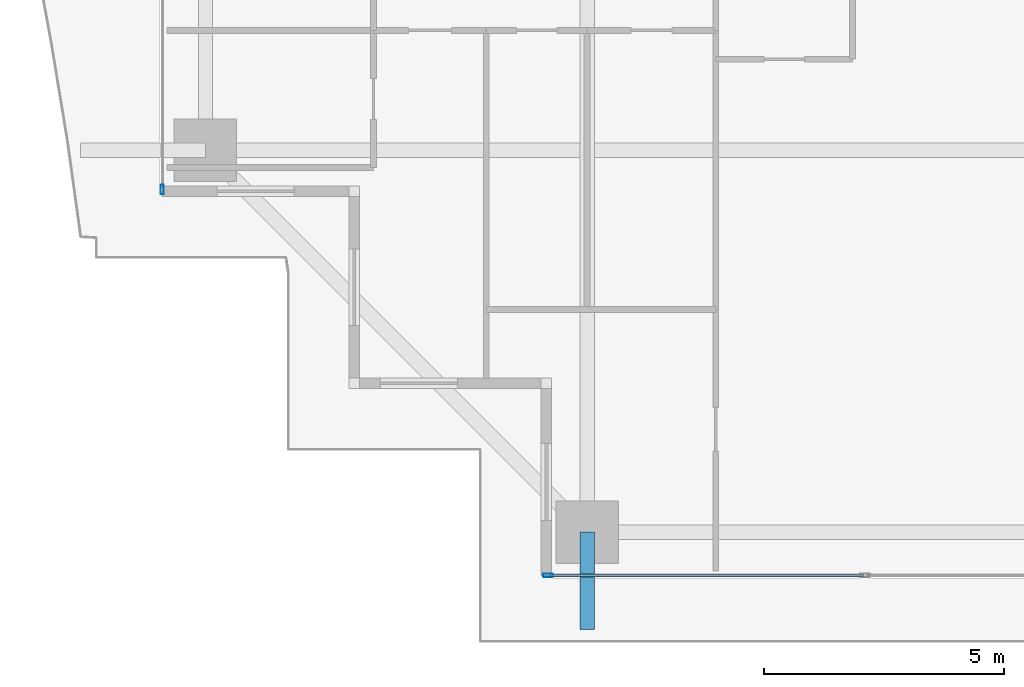
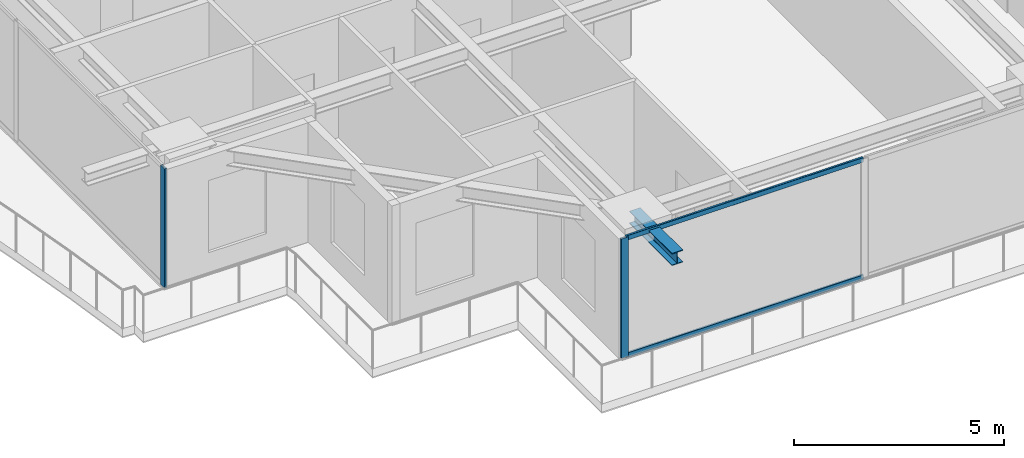
# One storey, part 2 of 39: 4 members, 1 beam, 2 elements without a shape of their own.
"""IFC4 building model written with IfcOpenShell, lengths in metres."""

from ifc_helpers import new_model, si_unit, direction, frame, origin, origin_2d, place, context, subcontext, project, spatial, hollow_rectangle, i_section, extrude, source, transform, mapped, material, layer, layer_set, material_profile, profile_set, type_object, element, aggregate, save


model = new_model("IFC4")

# Units and contexts
model_context = context("Model", 3, precision=1e-05, world=origin(), true_north=direction((0.0, 1.0)))
body_context = subcontext(model_context, "Body", "Model", "MODEL_VIEW")
ifc_project = project(units=[si_unit("LENGTHUNIT", "METRE"), si_unit("AREAUNIT", "SQUARE_METRE"), si_unit("VOLUMEUNIT", "CUBIC_METRE"), si_unit("PLANEANGLEUNIT", "RADIAN"), si_unit("MASSUNIT", "GRAM", prefix="KILO")], contexts=[model_context])

# Site, building, storey
site_placement = place(None, origin())
site = spatial("IfcSite", under=ifc_project, at=site_placement, CompositionType="ELEMENT")
building_placement = place(site_placement, origin())
building = spatial("IfcBuilding", under=site, at=building_placement, Name="Serunith Strait Residences", CompositionType="ELEMENT")
storey_placement = place(building_placement, frame((0.0, 0.0, 123.89990234375)))
storey = spatial("IfcBuildingStorey", under=building, at=storey_placement, Name="L30", CompositionType="ELEMENT", Elevation=123.89990234375)

# Beam
ifc_material_1 = material(Name="Steel S355J2", Category="steel")
ifc_material_profile_1 = material_profile(ifc_material_1, i_section(OverallWidth=0.300048828125, OverallDepth=0.360107421875, WebThickness=0.012451171875, FlangeThickness=0.0224609375, FilletRadius=0.027099609375, at=origin_2d()), Name="HEB 360")
ifc_profile_set_1 = profile_set([ifc_material_profile_1], Name="Steel S355J2")
beam_type = type_object("IfcBeamType", Name="BM-HEB360", PredefinedType="BEAM", material=ifc_profile_set_1)
shared_shape_1 = source(origin(), body_context, "Body", "SweptSolid", [
    extrude(i_section(OverallWidth=0.300048828125, OverallDepth=0.360107421875, WebThickness=0.012451171875, FlangeThickness=0.0224609375, FilletRadius=0.027099609375, at=origin_2d()), origin(), (0.0, 0.0, 1.0), 2.030029296875),
])
beam_placement = place(storey_placement, frame((16.64990234375, 2.300048828125, 3.277099609375), z_axis=(0.0, -1.0, 0.0), x_axis=(1.0, 0.0, 0.0)))
element("IfcBeam", 1, at=beam_placement, inside=storey, type_object=beam_type, Name="L31 Cantilevered Balcony Rib TC-S1", PredefinedType="BEAM", context=body_context, shape_type="MappedRepresentation", body=[
    mapped(shared_shape_1, transform((0.0, 0.0, 0.0), scale=1.0)),
])

# Curtain wall, member
ifc_material_2 = material(Name="Pale-Champagne Anodised Aluminium", Category="aluminium")
ifc_layer = layer(ifc_material_2, 0.199951171875, Name="Pale-Champagne Anodised Aluminium")
ifc_layer_set = layer_set([ifc_layer], Name="Pale-Champagne Anodised Aluminium")
curtain_wall_type = type_object("IfcCurtainWallType", Name="CW-SYS2", PredefinedType="NOTDEFINED", material=ifc_layer_set)
curtain_wall_1_placement = place(storey_placement, origin())
curtain_wall_1 = element("IfcCurtainWall", 2, at=curtain_wall_1_placement, inside=storey, type_object=curtain_wall_type, Name="L30 S Unitised Fritted Curtain Wall", PredefinedType="NOTDEFINED")
ifc_material_profile_2 = material_profile(ifc_material_2, hollow_rectangle(XDim=0.070068359375, YDim=0.199951171875, WallThickness=0.00390625, InnerFilletRadius=0.006103515625, OuterFilletRadius=0.010009765625, at=origin_2d()), Name="ALU 200x70x4")
ifc_profile_set_2 = profile_set([ifc_material_profile_2], Name="Pale-Champagne Anodised Aluminium")
member_type_1 = type_object("IfcMemberType", Name="CW-SYS2-MULL", PredefinedType="MULLION", material=ifc_profile_set_2)
shared_shape_2 = source(origin(), body_context, "Body", "SweptSolid", [
    extrude(hollow_rectangle(XDim=0.070068359375, YDim=0.199951171875, WallThickness=0.00390625, InnerFilletRadius=0.006103515625, OuterFilletRadius=0.010009765625, at=origin_2d()), origin(), (0.0, 0.0, 1.0), 3.47509765625),
])
member_1_placement = place(storey_placement, frame((15.8349609375, 1.39990234375, 0.0), z_axis=(0.0, 0.0, 1.0), x_axis=(0.0, 1.0, 0.0)))
member_1 = element("IfcMember", 3, at=member_1_placement, type_object=member_type_1, Name="CW-2 mullion 1", PredefinedType="MULLION", context=body_context, shape_type="MappedRepresentation", body=[
    mapped(shared_shape_2, transform((0.0, 0.0, 0.0), scale=1.0)),
])

curtain_wall_2_placement = place(storey_placement, origin())
curtain_wall_2 = element("IfcCurtainWall", 4, at=curtain_wall_2_placement, inside=storey, type_object=curtain_wall_type, Name="L30 W Unitised Fritted Curtain Wall", PredefinedType="NOTDEFINED")
member_2_placement = place(storey_placement, frame((7.800048828125, 9.43505859375, 0.0), z_axis=(0.0, 0.0, 1.0), x_axis=(1.0, 0.0, 0.0)))
member_2 = element("IfcMember", 5, at=member_2_placement, type_object=member_type_1, Name="CW-2 mullion 4", PredefinedType="MULLION", context=body_context, shape_type="MappedRepresentation", body=[
    mapped(shared_shape_2, transform((0.0, 0.0, 0.0), scale=1.0)),
])
aggregate(curtain_wall_2, [member_2])

# Member
ifc_material_profile_3 = material_profile(ifc_material_2, hollow_rectangle(XDim=0.06005859375, YDim=0.139892578125, WallThickness=0.00341796875, InnerFilletRadius=0.00537109375, OuterFilletRadius=0.0087890625, at=origin_2d()), Name="ALU 140x60x3.5")
ifc_profile_set_3 = profile_set([ifc_material_profile_3], Name="Pale-Champagne Anodised Aluminium")
member_type_2 = type_object("IfcMemberType", Name="CW-SYS2-TRAN", PredefinedType="USERDEFINED", material=ifc_profile_set_3)
shared_shape_3 = source(origin(), body_context, "Body", "SweptSolid", [
    extrude(hollow_rectangle(XDim=0.06005859375, YDim=0.139892578125, WallThickness=0.00341796875, InnerFilletRadius=0.00537109375, OuterFilletRadius=0.0087890625, at=origin_2d()), origin(), (0.0, 0.0, 1.0), 6.534912109375),
])
member_3_placement = place(storey_placement, frame((15.8701171875, 1.39990234375, 0.030029296875), z_axis=(1.0, 0.0, 0.0), x_axis=(0.0, 1.0, 0.0)))
member_3 = element("IfcMember", 6, at=member_3_placement, type_object=member_type_2, Name="CW-2 transom 1.1", ObjectType="TRANSOM", PredefinedType="USERDEFINED", context=body_context, shape_type="MappedRepresentation", body=[
    mapped(shared_shape_3, transform((0.0, 0.0, 0.0), scale=1.0)),
])

member_4_placement = place(storey_placement, frame((15.8701171875, 1.39990234375, 3.445068359375), z_axis=(1.0, 0.0, 0.0), x_axis=(0.0, 1.0, 0.0)))
member_4 = element("IfcMember", 7, at=member_4_placement, type_object=member_type_2, Name="CW-2 transom 1.2", ObjectType="TRANSOM", PredefinedType="USERDEFINED", context=body_context, shape_type="MappedRepresentation", body=[
    mapped(shared_shape_3, transform((0.0, 0.0, 0.0), scale=1.0)),
])

aggregate(curtain_wall_1, [member_1, member_3, member_4])

save(model, "model.ifc")
